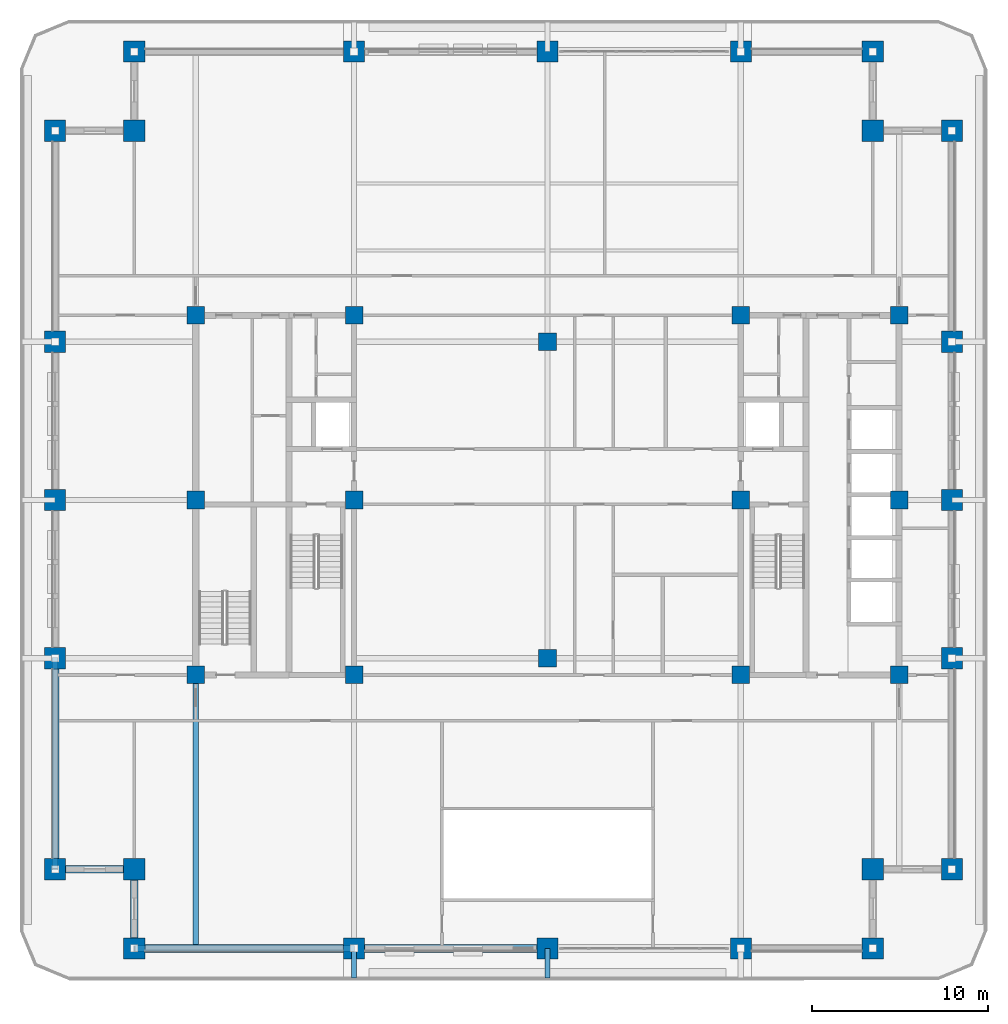
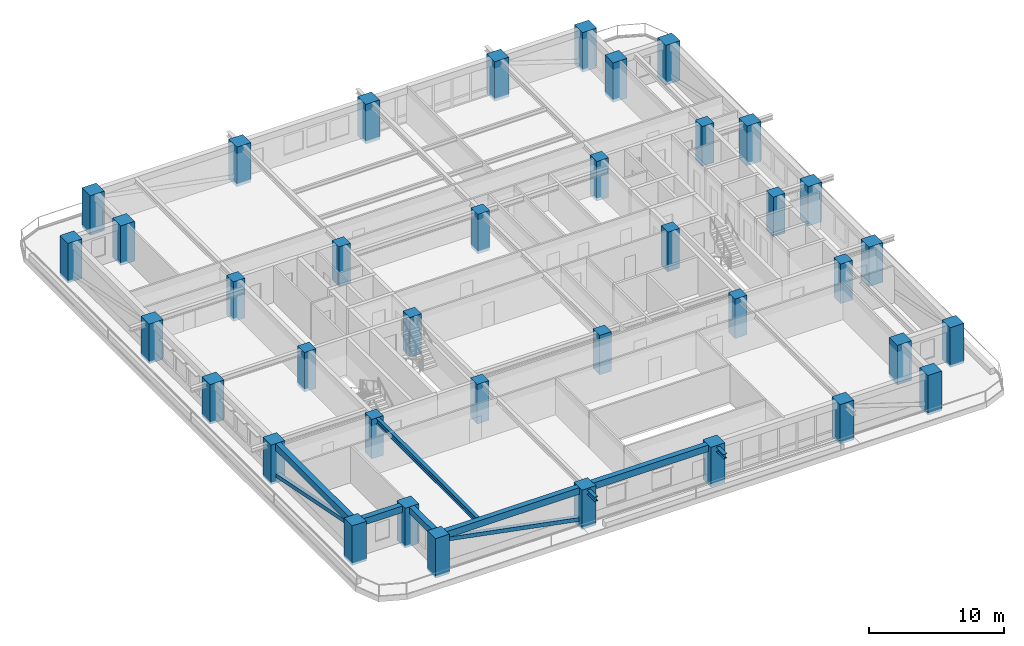
# One storey, part 1 of 20: 38 columns, 8 beams, 2 members.
"""IFC4 building model written with IfcOpenShell, lengths in metres."""

from ifc_helpers import new_model, si_unit, direction, frame, origin, origin_2d, place, context, subcontext, project, spatial, rectangle, hollow_rectangle, i_section, extrude, material, material_profile, profile_set, type_object, element, save


model = new_model("IFC4")

# Units and contexts
model_context = context("Model", 3, precision=1e-05, world=origin(), true_north=direction((0.0, 1.0)))
body_context = subcontext(model_context, "Body", "Model", "MODEL_VIEW")
ifc_project = project(units=[si_unit("LENGTHUNIT", "METRE"), si_unit("AREAUNIT", "SQUARE_METRE"), si_unit("VOLUMEUNIT", "CUBIC_METRE"), si_unit("PLANEANGLEUNIT", "RADIAN"), si_unit("MASSUNIT", "GRAM", prefix="KILO")], contexts=[model_context])

# Site, building, storey
site_placement = place(None, origin())
site = spatial("IfcSite", under=ifc_project, at=site_placement, CompositionType="ELEMENT")
building_placement = place(site_placement, origin())
building = spatial("IfcBuilding", under=site, at=building_placement, Name="Zulmaris Gate Convention Tower", CompositionType="ELEMENT")
storey_placement = place(building_placement, frame((0.0, 0.0, 146.33984375)))
storey = spatial("IfcBuildingStorey", under=building, at=storey_placement, Name="L37", CompositionType="ELEMENT", Elevation=146.33984375)

# Columns
ifc_material_1 = material(Name="Concrete C60/75", Category="concrete")
ifc_material_profile_1 = material_profile(ifc_material_1, rectangle(XDim=1.0, YDim=1.0, at=origin_2d()), Name="RC COL 1000x1000")
ifc_profile_set_1 = profile_set([ifc_material_profile_1], Name="Concrete C60/75")
column_type_1 = type_object("IfcColumnType", Name="COL-RC1000", PredefinedType="COLUMN", material=ifc_profile_set_1)
for number, where, z_axis, x_axis, name in (
    (1, (-20.0, -9.949951171875, -0.25), (0.0, 0.0, 1.0), (1.0, 0.0, 0.0), "L37 Column IN--20.00_-9.95"),
    (2, (-20.0, 10.5, -0.25), (0.0, 0.0, 1.0), (1.0, 0.0, 0.0), "L37 Column IN--20.00_+10.50"),
    (3, (-11.0, -9.949951171875, -0.25), (0.0, 0.0, 1.0), (1.0, 0.0, 0.0), "L37 Column IN--11.00_-9.95"),
    (4, (-11.0, 0.0, -0.25), (0.0, 0.0, 1.0), (1.0, 0.0, 0.0), "L37 Column IN--11.00_+0.00"),
    (5, (-11.0, 10.5, -0.25), (0.0, 0.0, 1.0), (1.0, 0.0, 0.0), "L37 Column IN--11.00_+10.50"),
    (6, (11.0, -9.949951171875, -0.25), (0.0, 0.0, 1.0), (1.0, 0.0, 0.0), "L37 Column IN-+11.00_-9.95"),
    (7, (11.0, 0.0, -0.25), (0.0, 0.0, 1.0), (1.0, 0.0, 0.0), "L37 Column IN-+11.00_+0.00"),
    (8, (11.0, 10.5, -0.25), (0.0, 0.0, 1.0), (1.0, 0.0, 0.0), "L37 Column IN-+11.00_+10.50"),
    (9, (20.0, -9.949951171875, -0.25), (0.0, 0.0, 1.0), (1.0, 0.0, 0.0), "L37 Column IN-+20.00_-9.95"),
    (10, (20.0, 10.5, -0.25), (0.0, 0.0, 1.0), (1.0, 0.0, 0.0), "L37 Column IN-+20.00_+10.50"),
    (11, (0.0, -9.0, -0.25), (0.0, 0.0, 1.0), (1.0, 0.0, 0.0), "L37 Column IN-+0.00_-9.00"),
    (12, (0.0, 9.0, -0.25), (0.0, 0.0, 1.0), (1.0, 0.0, 0.0), "L37 Column IN-+0.00_+9.00"),
    (13, (-20.0, 0.0, -0.25), (0.0, 0.0, 1.0), (1.0, 0.0, 0.0), "L37 Column IN--20.00_+0.00"),
    (14, (20.0, 0.0, -0.25), (0.0, 0.0, 1.0), (1.0, 0.0, 0.0), "L37 Column IN-+20.00_+0.00"),
):
    element("IfcColumn", number, at=place(storey_placement, frame(where, z_axis=z_axis, x_axis=x_axis)), inside=storey, type_object=column_type_1, Name=name, PredefinedType="COLUMN", context=body_context, shape_type="SweptSolid", body=[
        extrude(rectangle(XDim=1.0, YDim=1.0, at=origin_2d()), origin(), (0.0, 0.0, 1.0), 3.570068359375),
    ])
ifc_material_2 = material(Name="Concrete C70/85", Category="concrete")
ifc_material_profile_2 = material_profile(ifc_material_2, rectangle(XDim=1.199951171875, YDim=1.199951171875, at=origin_2d()), Name="RC COL 1200x1200")
ifc_profile_set_2 = profile_set([ifc_material_profile_2], Name="Concrete C70/85")
column_type_2 = type_object("IfcColumnType", Name="COL-RC1200", PredefinedType="COLUMN", material=ifc_profile_set_2)
for number, where, z_axis, x_axis, name in (
    (15, (-23.5, -25.5, -0.25), (0.0, 0.0, 1.0), (1.0, 0.0, 0.0), "L37 Column PT--23.50_-25.50"),
    (16, (-11.0, -25.5, -0.25), (0.0, 0.0, 1.0), (1.0, 0.0, 0.0), "L37 Column PT--11.00_-25.50"),
    (17, (0.0, -25.5, -0.25), (0.0, 0.0, 1.0), (1.0, 0.0, 0.0), "L37 Column PT-+0.00_-25.50"),
    (18, (11.0, -25.5, -0.25), (0.0, 0.0, 1.0), (1.0, 0.0, 0.0), "L37 Column PT-+11.00_-25.50"),
    (19, (18.5, -25.5, -0.25), (0.0, 0.0, 1.0), (1.0, 0.0, 0.0), "L37 Column PT-+18.50_-25.50"),
    (20, (-23.5, 25.5, -0.25), (0.0, 0.0, 1.0), (1.0, 0.0, 0.0), "L37 Column PT--23.50_+25.50"),
    (21, (-11.0, 25.5, -0.25), (0.0, 0.0, 1.0), (1.0, 0.0, 0.0), "L37 Column PT--11.00_+25.50"),
    (22, (0.0, 25.5, -0.25), (0.0, 0.0, 1.0), (1.0, 0.0, 0.0), "L37 Column PT-+0.00_+25.50"),
    (23, (11.0, 25.5, -0.25), (0.0, 0.0, 1.0), (1.0, 0.0, 0.0), "L37 Column PT-+11.00_+25.50"),
    (24, (18.5, 25.5, -0.25), (0.0, 0.0, 1.0), (1.0, 0.0, 0.0), "L37 Column PT-+18.50_+25.50"),
    (25, (-28.0, -21.0, -0.25), (0.0, 0.0, 1.0), (1.0, 0.0, 0.0), "L37 Column PT--28.00_-21.00"),
    (26, (-28.0, -9.0, -0.25), (0.0, 0.0, 1.0), (1.0, 0.0, 0.0), "L37 Column PT--28.00_-9.00"),
    (27, (-28.0, 0.0, -0.25), (0.0, 0.0, 1.0), (1.0, 0.0, 0.0), "L37 Column PT--28.00_+0.00"),
    (28, (-28.0, 9.0, -0.25), (0.0, 0.0, 1.0), (1.0, 0.0, 0.0), "L37 Column PT--28.00_+9.00"),
    (29, (-28.0, 21.0, -0.25), (0.0, 0.0, 1.0), (1.0, 0.0, 0.0), "L37 Column PT--28.00_+21.00"),
    (30, (23.0, -21.0, -0.25), (0.0, 0.0, 1.0), (1.0, 0.0, 0.0), "L37 Column PT-+23.00_-21.00"),
    (31, (23.0, -9.0, -0.25), (0.0, 0.0, 1.0), (1.0, 0.0, 0.0), "L37 Column PT-+23.00_-9.00"),
    (32, (23.0, 0.0, -0.25), (0.0, 0.0, 1.0), (1.0, 0.0, 0.0), "L37 Column PT-+23.00_+0.00"),
    (33, (23.0, 9.0, -0.25), (0.0, 0.0, 1.0), (1.0, 0.0, 0.0), "L37 Column PT-+23.00_+9.00"),
    (34, (23.0, 21.0, -0.25), (0.0, 0.0, 1.0), (1.0, 0.0, 0.0), "L37 Column PT-+23.00_+21.00"),
    (35, (-23.5, -21.0, -0.25), (0.0, 0.0, 1.0), (1.0, 0.0, 0.0), "L37 Column PT--23.50_-21.00"),
    (36, (18.5, -21.0, -0.25), (0.0, 0.0, 1.0), (1.0, 0.0, 0.0), "L37 Column PT-+18.50_-21.00"),
    (37, (18.5, 21.0, -0.25), (0.0, 0.0, 1.0), (1.0, 0.0, 0.0), "L37 Column PT-+18.50_+21.00"),
    (38, (-23.5, 21.0, -0.25), (0.0, 0.0, 1.0), (1.0, 0.0, 0.0), "L37 Column PT--23.50_+21.00"),
):
    element("IfcColumn", number, at=place(storey_placement, frame(where, z_axis=z_axis, x_axis=x_axis)), inside=storey, type_object=column_type_2, Name=name, PredefinedType="COLUMN", context=body_context, shape_type="SweptSolid", body=[
        extrude(rectangle(XDim=1.199951171875, YDim=1.199951171875, at=origin_2d()), origin(), (0.0, 0.0, 1.0), 3.570068359375),
    ])

# Beams
ifc_material_3 = material(Name="Steel S355", Category="steel")
ifc_material_profile_3 = material_profile(ifc_material_3, i_section(OverallWidth=0.300048828125, OverallDepth=0.39990234375, WebThickness=0.013427734375, FlangeThickness=0.02392578125, FilletRadius=0.027099609375, at=origin_2d()), Name="HEB 400")
ifc_profile_set_3 = profile_set([ifc_material_profile_3], Name="Steel S355")
beam_type_1 = type_object("IfcBeamType", Name="BM-HEB400", PredefinedType="BEAM", material=ifc_profile_set_3)
for number, where, z_axis, x_axis, name in (
    (39, (-11.0, -27.199951171875, 2.97998046875), (0.0, 1.0, 0.0), (-1.0, 0.0, 0.0), "L37 Beam TBRK-L37-S--11"),
    (40, (0.0, -27.199951171875, 2.97998046875), (0.0, 1.0, 0.0), (-1.0, 0.0, 0.0), "L37 Beam TBRK-L37-S-+0"),
):
    element("IfcBeam", number, at=place(storey_placement, frame(where, z_axis=z_axis, x_axis=x_axis)), inside=storey, type_object=beam_type_1, Name=name, PredefinedType="BEAM", context=body_context, shape_type="SweptSolid", body=[
        extrude(i_section(OverallWidth=0.300048828125, OverallDepth=0.39990234375, WebThickness=0.013427734375, FlangeThickness=0.02392578125, FilletRadius=0.027099609375, at=origin_2d()), origin(), (0.0, 0.0, 1.0), 1.699951171875),
    ])
ifc_material_profile_4 = material_profile(ifc_material_3, i_section(OverallWidth=0.300048828125, OverallDepth=0.5, WebThickness=0.014404296875, FlangeThickness=0.028076171875, FilletRadius=0.027099609375, at=origin_2d()), Name="HEB 500")
ifc_profile_set_4 = profile_set([ifc_material_profile_4], Name="Steel S355")
beam_type_2 = type_object("IfcBeamType", Name="BM-HEB500", PredefinedType="BEAM", material=ifc_profile_set_4)
beam_1_placement = place(storey_placement, frame((-20.0, -25.5, 3.068115234375), z_axis=(0.0, 1.0, 0.0), x_axis=(-1.0, 0.0, 0.0)))
element("IfcBeam", 41, at=beam_1_placement, inside=storey, type_object=beam_type_2, Name="L37 Beam BM-L37-G12", PredefinedType="BEAM", context=body_context, shape_type="SweptSolid", body=[
    extrude(i_section(OverallWidth=0.300048828125, OverallDepth=0.5, WebThickness=0.014404296875, FlangeThickness=0.028076171875, FilletRadius=0.027099609375, at=origin_2d()), origin(), (0.0, 0.0, 1.0), 15.550048828125),
])
ifc_material_4 = material(Name="Precast concrete C50/60", Category="concrete")
ifc_material_profile_5 = material_profile(ifc_material_4, rectangle(XDim=0.449951171875, YDim=0.60009765625, at=origin_2d()), Name="RC SPANDREL 450x600")
ifc_profile_set_5 = profile_set([ifc_material_profile_5], Name="Precast concrete C50/60")
beam_type_3 = type_object("IfcBeamType", Name="BM-SP450x600", PredefinedType="SPANDREL", material=ifc_profile_set_5)
beam_2_placement = place(storey_placement, frame((-23.5, -25.5, 3.02001953125), z_axis=(1.0, 0.0, 0.0), x_axis=(0.0, 1.0, 0.0)))
element("IfcBeam", 42, at=beam_2_placement, inside=storey, type_object=beam_type_3, Name="L37 Spandrel SP-L37-01", PredefinedType="SPANDREL", context=body_context, shape_type="SweptSolid", body=[
    extrude(rectangle(XDim=0.449951171875, YDim=0.60009765625, at=origin_2d()), origin(), (0.0, 0.0, 1.0), 12.5),
])
beam_3_placement = place(storey_placement, frame((-11.0, -25.5, 3.02001953125), z_axis=(1.0, 0.0, 0.0), x_axis=(0.0, 1.0, 0.0)))
element("IfcBeam", 43, at=beam_3_placement, inside=storey, type_object=beam_type_3, Name="L37 Spandrel SP-L37-02", PredefinedType="SPANDREL", context=body_context, shape_type="SweptSolid", body=[
    extrude(rectangle(XDim=0.449951171875, YDim=0.60009765625, at=origin_2d()), origin(), (0.0, 0.0, 1.0), 11.0),
])
beam_4_placement = place(storey_placement, frame((-28.0, -9.0, 3.02001953125), z_axis=(0.0, -1.0, 0.0), x_axis=(1.0, 0.0, 0.0)))
element("IfcBeam", 44, at=beam_4_placement, inside=storey, type_object=beam_type_3, Name="L37 Spandrel SP-L37-22", PredefinedType="SPANDREL", context=body_context, shape_type="SweptSolid", body=[
    extrude(rectangle(XDim=0.449951171875, YDim=0.60009765625, at=origin_2d()), origin(), (0.0, 0.0, 1.0), 12.0),
])
for number, where, z_axis, x_axis, name in (
    (45, (-28.0, -21.0, 3.02001953125), (1.0, 0.0, 0.0), (0.0, 1.0, 0.0), "L37 Spandrel SP-L37-23"),
    (46, (-23.5, -21.0, 3.02001953125), (0.0, -1.0, 0.0), (1.0, 0.0, 0.0), "L37 Spandrel SP-L37-24"),
):
    element("IfcBeam", number, at=place(storey_placement, frame(where, z_axis=z_axis, x_axis=x_axis)), inside=storey, type_object=beam_type_3, Name=name, PredefinedType="SPANDREL", context=body_context, shape_type="SweptSolid", body=[
        extrude(rectangle(XDim=0.449951171875, YDim=0.60009765625, at=origin_2d()), origin(), (0.0, 0.0, 1.0), 4.5),
    ])

# Members
ifc_material_5 = material(Name="Steel S460", Category="steel")
ifc_material_profile_6 = material_profile(ifc_material_5, hollow_rectangle(XDim=0.35009765625, YDim=0.35009765625, WallThickness=0.01611328125, at=origin_2d()), Name="SHS 350x350x16")
ifc_profile_set_6 = profile_set([ifc_material_profile_6], Name="Steel S460")
member_type = type_object("IfcMemberType", Name="BR-SHS350", PredefinedType="BRACE", material=ifc_profile_set_6)
member_1_placement = place(storey_placement, frame((-28.0, -9.0, 0.300048828125), z_axis=(0.0, -0.980582210276, 0.196108462057), x_axis=(1.0, 0.0, 0.0)))
element("IfcMember", 47, at=member_1_placement, inside=storey, type_object=member_type, Name="L37 Perimeter Tube Diagonal SW-W", PredefinedType="BRACE", context=body_context, shape_type="SweptSolid", body=[
    extrude(hollow_rectangle(XDim=0.35009765625, YDim=0.35009765625, WallThickness=0.01611328125, at=origin_2d()), origin(), (0.0, 0.0, 1.0), 12.237548828125),
])
member_2_placement = place(storey_placement, frame((-11.0, -25.5, 0.300048828125), z_axis=(-0.982063862241, 0.0, 0.188548589176), x_axis=(0.0, -1.0, 0.0)))
element("IfcMember", 48, at=member_2_placement, inside=storey, type_object=member_type, Name="L37 Perimeter Tube Diagonal SW-S", PredefinedType="BRACE", context=body_context, shape_type="SweptSolid", body=[
    extrude(hollow_rectangle(XDim=0.35009765625, YDim=0.35009765625, WallThickness=0.01611328125, at=origin_2d()), origin(), (0.0, 0.0, 1.0), 12.728271484375),
])

save(model, "model.ifc")
